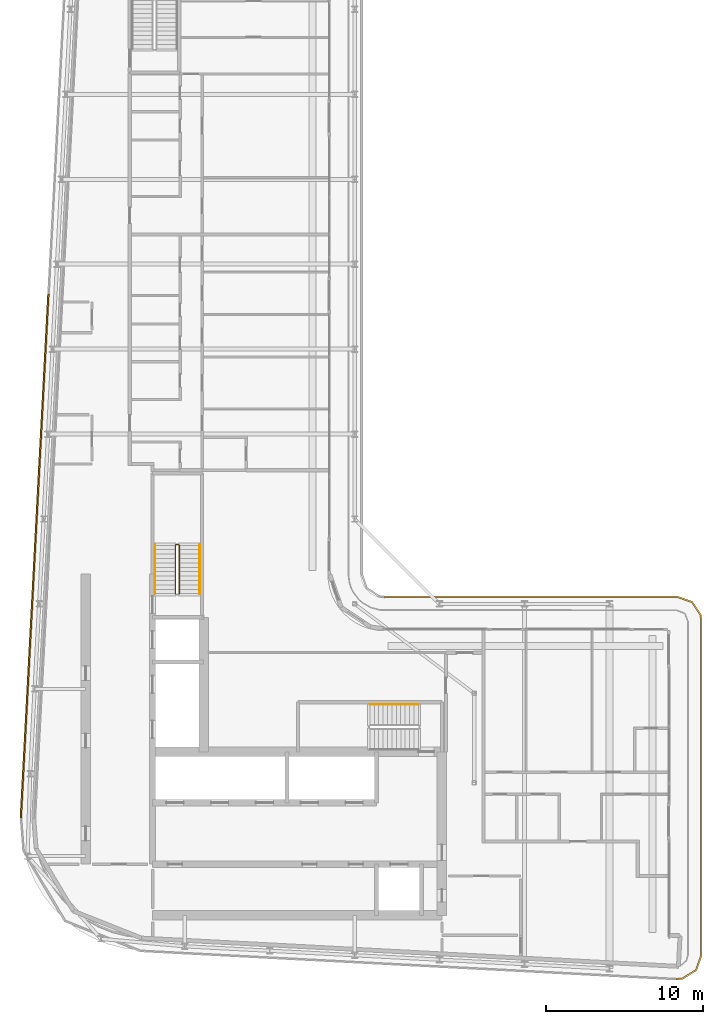
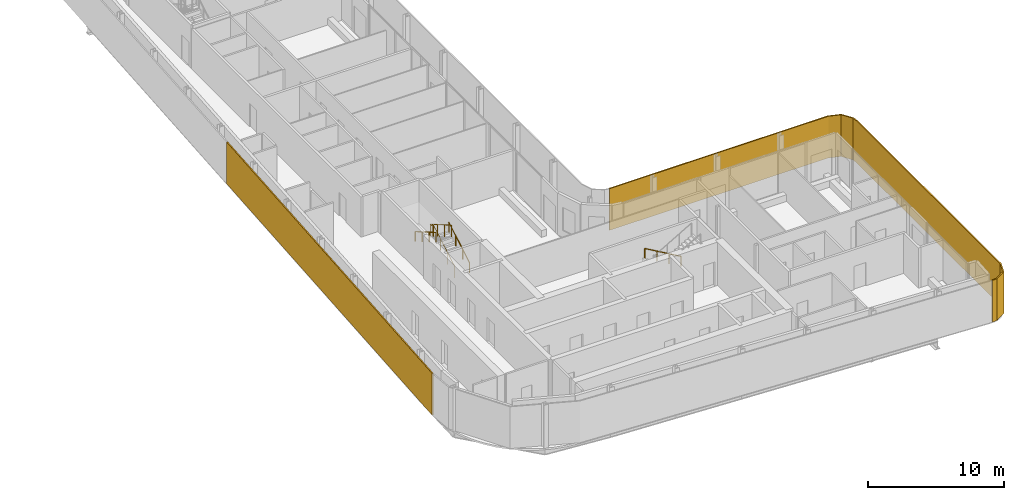
# One storey, part 18 of 21: 4 railings, 2 shading devices.
"""IFC4 building model written with IfcOpenShell, lengths in metres."""

from ifc_helpers import new_model, si_unit, direction, frame, origin, origin_2d, place, context, subcontext, project, spatial, polyline, rectangle, circle, outline, extrude, material, layer, layer_set, type_object, element, save


model = new_model("IFC4")

# Units and contexts
model_context = context("Model", 3, precision=1e-05, world=origin(), true_north=direction((0.0, 1.0)))
body_context = subcontext(model_context, "Body", "Model", "MODEL_VIEW")
ifc_project = project(units=[si_unit("LENGTHUNIT", "METRE"), si_unit("AREAUNIT", "SQUARE_METRE"), si_unit("VOLUMEUNIT", "CUBIC_METRE"), si_unit("PLANEANGLEUNIT", "RADIAN"), si_unit("MASSUNIT", "GRAM", prefix="KILO")], contexts=[model_context])

# Site, building, storey
site_placement = place(None, origin())
site = spatial("IfcSite", under=ifc_project, at=site_placement, CompositionType="ELEMENT")
building_placement = place(site_placement, origin())
building = spatial("IfcBuilding", under=site, at=building_placement, Name="Kheshtan School and Residences Tower", CompositionType="ELEMENT")
storey_placement = place(building_placement, frame((0.0, 0.0, 313.699951171875)))
storey = spatial("IfcBuildingStorey", under=building, at=storey_placement, Name="L74", CompositionType="ELEMENT", Elevation=313.699951171875)

# Shading devices
ifc_material_1 = material(Name="Terracotta baguette, extruded ceramic", Category="masonry")
ifc_layer_1 = layer(ifc_material_1, 0.10009765625)
ifc_layer_set_1 = layer_set([ifc_layer_1], Name="Ledge screen, terracotta baguettes")
shading_device_type_1 = type_object("IfcShadingDeviceType", Name="Ledge screen, terracotta baguettes", PredefinedType="USERDEFINED", material=ifc_layer_set_1)
shading_device_1_placement = place(storey_placement, frame((27.24609375, 48.638916015625, 0.0), z_axis=(0.0, 0.0, 1.0), x_axis=(0.052562536748, 0.998617634398, 0.0)))
element("IfcShadingDevice", 1, at=shading_device_1_placement, inside=storey, type_object=shading_device_type_1, Name="Screen L74 4", ObjectType="BAGUETTE", PredefinedType="USERDEFINED", context=body_context, shape_type="SweptSolid", body=[
    extrude(rectangle(XDim=33.341064453125, YDim=0.10009765625, at=origin_2d()), origin(), (0.0, 0.0, 1.0), 3.75),
])
ifc_material_2 = material(Name="Terracotta lattice, extruded ceramic", Category="masonry")
ifc_layer_2 = layer(ifc_material_2, 0.10009765625)
ifc_layer_set_2 = layer_set([ifc_layer_2], Name="Loggia screen, terracotta lattice")
shading_device_type_2 = type_object("IfcShadingDeviceType", Name="Loggia screen, terracotta lattice", PredefinedType="USERDEFINED", material=ifc_layer_set_2)
shading_device_2_placement = place(storey_placement, origin())
element("IfcShadingDevice", 2, at=shading_device_2_placement, inside=storey, type_object=shading_device_type_2, Name="Screen L74 2", ObjectType="SCREEN", PredefinedType="USERDEFINED", context=body_context, shape_type="SweptSolid", body=[
    extrude(outline(polyline([(49.5, 46.0), (68.10009765625, 46.0), (69.012939453125, 45.68994140625), (69.549072265625, 44.887939453125), (69.60009765625, 44.5), (69.60009765625, 23.285888671875), (69.27001953125, 22.346923828125), (68.424072265625, 21.822021484375), (68.02099609375, 21.7880859375), (68.029052734375, 21.68798828125), (68.4560546875, 21.72412109375), (69.35302734375, 22.281005859375), (69.699951171875, 23.26904296875), (69.699951171875, 44.507080078125), (69.64501953125, 44.924072265625), (69.076904296875, 45.77392578125), (68.116943359375, 46.10009765625), (49.5, 46.10009765625), (49.5, 46.0)])), origin(), (0.0, 0.0, 1.0), 3.75),
])

# Railings
ifc_material_3 = material(Name="Stainless steel balustrade", Category="steel")
railing_type_1 = type_object("IfcRailingType", Name="Stair guard 1100", PredefinedType="GUARDRAIL", material=ifc_material_3)
railing_1_placement = place(storey_placement, frame((36.449951171875, 46.25, 0.16259765625)))
element("IfcRailing", 3, at=railing_1_placement, inside=storey, type_object=railing_type_1, Name="L74 ST2 stair guard 1", PredefinedType="GUARDRAIL", context=body_context, shape_type="SweptSolid", body=[
    extrude(circle(Radius=0.02392578125, at=origin_2d()), frame((0.0, 0.0, 1.076171875), z_axis=(0.0, 0.864920483161, 0.501908913857), x_axis=(-1.0, 0.0, 0.0)), (0.0, 0.0, 1.0), 3.56103515625),
    extrude(circle(Radius=0.02392578125, at=origin_2d()), frame((0.0, 3.080078125, 2.86328125), z_axis=(-0.708833529934, 0.705375805398, 0.0), x_axis=(-0.705375805398, -0.708833529934, 0.0)), (0.0, 0.0, 1.0), 0.070556640625),
    extrude(circle(Radius=0.02392578125, at=origin_2d()), frame((-0.050048828125, 3.1298828125, 2.86328125), z_axis=(-1.0, 0.0, 0.0), x_axis=(0.0, -1.0, 0.0)), (0.0, 0.0, 1.0), 0.14990234375),
    extrude(circle(Radius=0.02392578125, at=origin_2d()), frame((-0.199951171875, 3.1298828125, 2.86328125), z_axis=(-0.282336740067, -0.280959487676, 0.917250092119), x_axis=(0.705375805398, -0.708833529934, 0.0)), (0.0, 0.0, 1.0), 0.17724609375),
    extrude(circle(Radius=0.02392578125, at=origin_2d()), frame((-0.25, 3.080078125, 3.02587890625), z_axis=(0.0, -0.864890721111, 0.501960198159), x_axis=(1.0, 0.0, 0.0)), (0.0, 0.0, 1.0), 3.561279296875),
    extrude(circle(Radius=0.02099609375, at=origin_2d()), origin(), (0.0, 0.0, 1.0), 1.052001953125),
    extrude(circle(Radius=0.02099609375, at=origin_2d()), frame((0.0, 1.026611328125, 0.595703125)), (0.0, 0.0, 1.0), 1.052001953125),
    extrude(circle(Radius=0.02099609375, at=origin_2d()), frame((0.0, 2.053466796875, 1.191650390625)), (0.0, 0.0, 1.0), 1.052001953125),
    extrude(circle(Radius=0.02099609375, at=origin_2d()), frame((0.0, 3.080078125, 1.787353515625)), (0.0, 0.0, 1.0), 1.052001953125),
    extrude(circle(Radius=0.02099609375, at=origin_2d()), frame((-0.050048828125, 3.1298828125, 1.787353515625)), (0.0, 0.0, 1.0), 1.052001953125),
    extrude(circle(Radius=0.02099609375, at=origin_2d()), frame((-0.199951171875, 3.1298828125, 1.787353515625)), (0.0, 0.0, 1.0), 1.052001953125),
    extrude(circle(Radius=0.02099609375, at=origin_2d()), frame((-0.25, 3.080078125, 1.949951171875)), (0.0, 0.0, 1.0), 1.052001953125),
    extrude(circle(Radius=0.02099609375, at=origin_2d()), frame((-0.25, 2.053466796875, 2.5458984375)), (0.0, 0.0, 1.0), 1.052001953125),
    extrude(circle(Radius=0.02099609375, at=origin_2d()), frame((-0.25, 1.026611328125, 3.1416015625)), (0.0, 0.0, 1.0), 1.052001953125),
    extrude(circle(Radius=0.02099609375, at=origin_2d()), frame((-0.25, 0.0, 3.737548828125)), (0.0, 0.0, 1.0), 1.052001953125),
])
ifc_material_4 = material(Name="Stainless steel handrail", Category="steel")
railing_type_2 = type_object("IfcRailingType", Name="Stair handrail 900", PredefinedType="HANDRAIL", material=ifc_material_4)
railing_2_placement = place(storey_placement, frame((51.64990234375, 39.199951171875, 0.16259765625)))
element("IfcRailing", 4, at=railing_2_placement, inside=storey, type_object=railing_type_2, Name="L74 ST1 stair handrail 1", PredefinedType="HANDRAIL", context=body_context, shape_type="SweptSolid", body=[
    extrude(circle(Radius=0.02392578125, at=origin_2d()), frame((0.0, 0.0, 0.8759765625), z_axis=(-0.864903211148, 0.0, 0.501938676878), x_axis=(0.0, -1.0, 0.0)), (0.0, 0.0, 1.0), 3.560791015625),
    extrude(circle(Radius=0.02099609375, at=origin_2d()), origin(), (0.0, 0.0, 1.0), 0.851806640625),
    extrude(circle(Radius=0.02099609375, at=origin_2d()), frame((-1.026611328125, 0.0, 0.595703125)), (0.0, 0.0, 1.0), 0.851806640625),
    extrude(circle(Radius=0.02099609375, at=origin_2d()), frame((-2.05322265625, 0.0, 1.191650390625)), (0.0, 0.0, 1.0), 0.851806640625),
    extrude(circle(Radius=0.02099609375, at=origin_2d()), frame((-3.079833984375, 0.0, 1.787353515625)), (0.0, 0.0, 1.0), 0.851806640625),
])
railing_3_placement = place(storey_placement, frame((37.75, 46.25, 0.16259765625)))
element("IfcRailing", 5, at=railing_3_placement, inside=storey, type_object=railing_type_2, Name="L74 ST2 stair handrail 1", PredefinedType="HANDRAIL", context=body_context, shape_type="SweptSolid", body=[
    extrude(circle(Radius=0.02392578125, at=origin_2d()), frame((0.0, 0.0, 0.8759765625), z_axis=(0.0, 0.864920483161, 0.501908913857), x_axis=(-1.0, 0.0, 0.0)), (0.0, 0.0, 1.0), 3.56103515625),
    extrude(circle(Radius=0.02099609375, at=origin_2d()), origin(), (0.0, 0.0, 1.0), 0.851806640625),
    extrude(circle(Radius=0.02099609375, at=origin_2d()), frame((0.0, 1.026611328125, 0.595703125)), (0.0, 0.0, 1.0), 0.851806640625),
    extrude(circle(Radius=0.02099609375, at=origin_2d()), frame((0.0, 2.053466796875, 1.191650390625)), (0.0, 0.0, 1.0), 0.851806640625),
    extrude(circle(Radius=0.02099609375, at=origin_2d()), frame((0.0, 3.080078125, 1.787353515625)), (0.0, 0.0, 1.0), 0.851806640625),
])
railing_4_placement = place(storey_placement, frame((34.89990234375, 49.330078125, 2.112548828125)))
element("IfcRailing", 6, at=railing_4_placement, inside=storey, type_object=railing_type_2, Name="L74 ST2 stair handrail 2", PredefinedType="HANDRAIL", context=body_context, shape_type="SweptSolid", body=[
    extrude(circle(Radius=0.02392578125, at=origin_2d()), frame((0.0, 0.0, 0.8759765625), z_axis=(0.0, -0.864890721111, 0.501960198159), x_axis=(1.0, 0.0, 0.0)), (0.0, 0.0, 1.0), 3.561279296875),
    extrude(circle(Radius=0.02099609375, at=origin_2d()), origin(), (0.0, 0.0, 1.0), 0.851806640625),
    extrude(circle(Radius=0.02099609375, at=origin_2d()), frame((0.0, -1.026611328125, 0.595947265625)), (0.0, 0.0, 1.0), 0.851806640625),
    extrude(circle(Radius=0.02099609375, at=origin_2d()), frame((0.0, -2.053466796875, 1.191650390625)), (0.0, 0.0, 1.0), 0.851806640625),
    extrude(circle(Radius=0.02099609375, at=origin_2d()), frame((0.0, -3.080078125, 1.78759765625)), (0.0, 0.0, 1.0), 0.851806640625),
])

save(model, "model.ifc")
